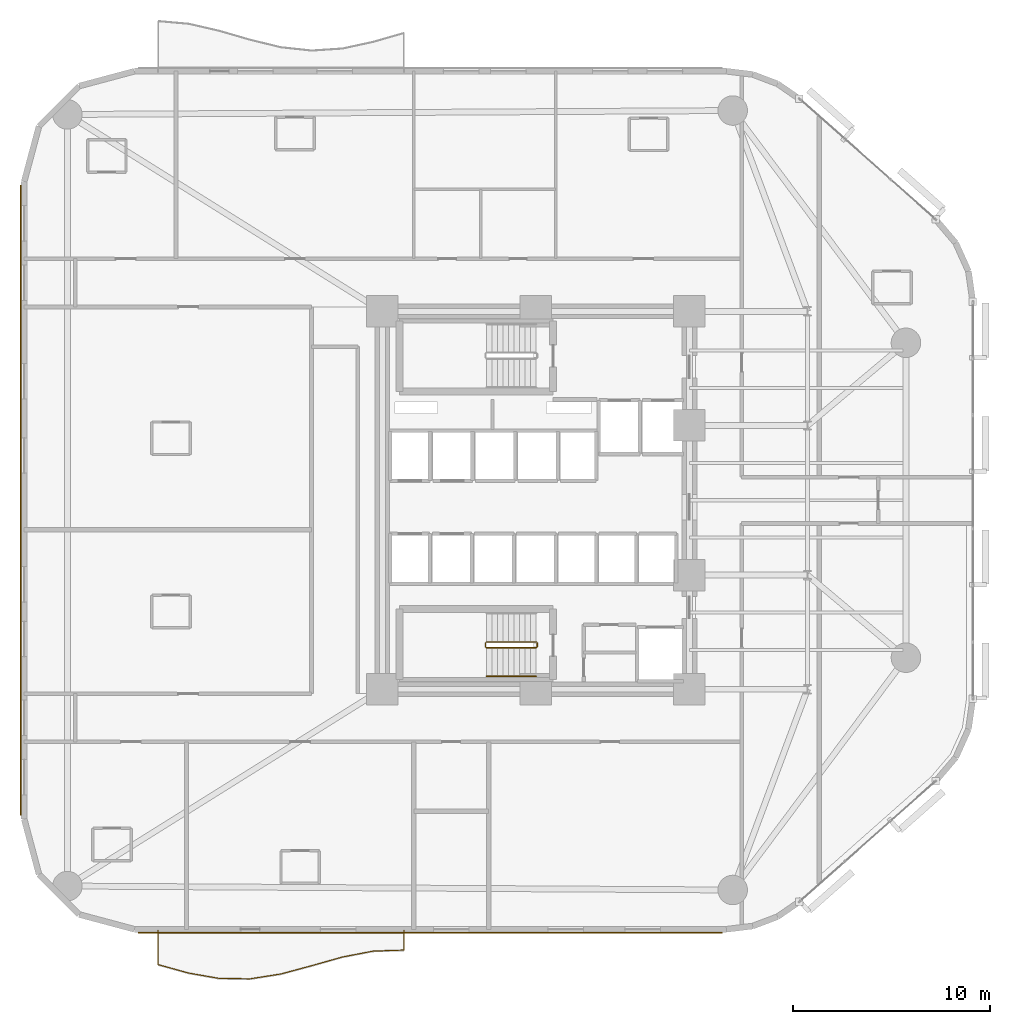
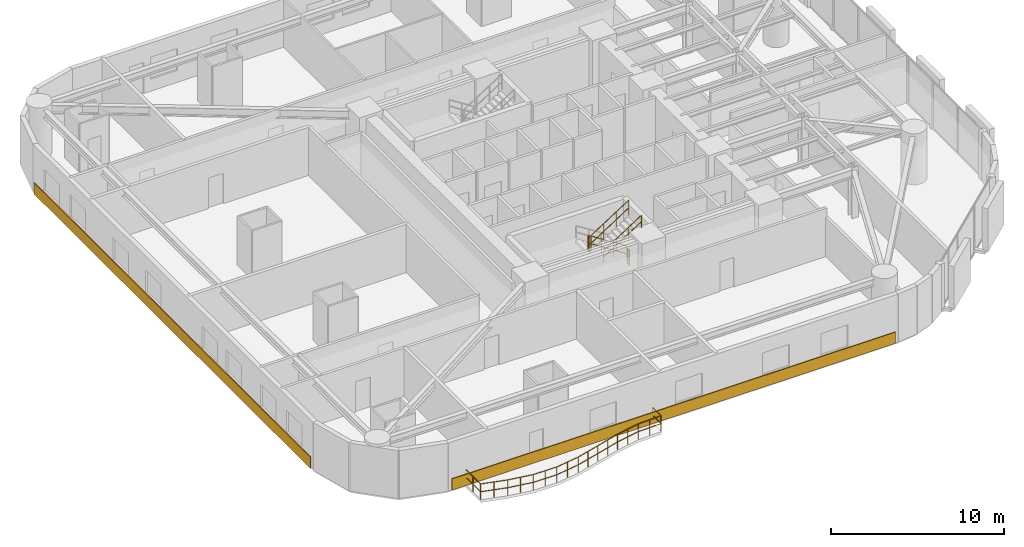
# One storey, part 15 of 17: 6 railings, 2 coverings.
"""IFC4 building model written with IfcOpenShell, lengths in metres."""

import ifcopenshell
import ifcopenshell.guid

model = None  # the IFC model being written
_history = None  # IfcOwnerHistory: only IFC2X3 demands one
_inside = {}  # id of a spatial element -> (the spatial element, [elements in it])
_under = {}  # id of a project, library or spatial element -> (it, [spatial elements below it])
_declared = {}  # id of a project -> (the project, [libraries it declares])
_typed = {}  # id of a type object -> (the type object, [elements of that type])
_made_of = {}  # id of a material, layer set ... -> (it, [elements and type objects made of it])


def new_model(schema):
    """Start an empty IFC model of exactly this schema.

    Asked for "IFC4X3", IfcOpenShell would pick the latest addendum, in which some entities
    have other attributes; the version numbers below select the first issue.
    IFC2X3 requires an IfcOwnerHistory on every rooted entity: one is made here for all.
    """
    global model, _history
    if schema == "IFC4X3":
        model = ifcopenshell.file(schema_version=(4, 3, 0, 0))
    else:
        model = ifcopenshell.file(schema=schema)
    _inside.clear()
    _under.clear()
    _declared.clear()
    _typed.clear()
    _made_of.clear()
    _history = None
    if model.schema == "IFC2X3":
        org = make("IfcOrganization", Name="unknown")
        user = make(
            "IfcPersonAndOrganization",
            ThePerson=make("IfcPerson", FamilyName="unknown"),
            TheOrganization=org,
        )
        app = make(
            "IfcApplication",
            ApplicationDeveloper=org,
            Version="unknown",
            ApplicationFullName="unknown",
            ApplicationIdentifier="unknown",
        )
        _history = make(
            "IfcOwnerHistory",
            OwningUser=user,
            OwningApplication=app,
            ChangeAction="ADDED",
            CreationDate=0,
        )
    return model


def make(cls, **values):
    """One entity of the class cls with the attributes given. An attribute that is None is left unset."""
    return model.create_entity(
        cls, **{name: value for name, value in values.items() if value is not None}
    )


def rooted(cls, **values):
    """An entity with a GlobalId (a new one), such as an element, a storey or a relation."""
    return make(cls, GlobalId=ifcopenshell.guid.new(), OwnerHistory=_history, **values)


def si_unit(unit_type, name, prefix=None):
    """IfcSIUnit, for example si_unit("LENGTHUNIT", "METRE", prefix="MILLI")."""
    return make("IfcSIUnit", UnitType=unit_type, Prefix=prefix, Name=name)


def assignment(units):
    """IfcUnitAssignment: the units of a project."""
    return None if units is None else make("IfcUnitAssignment", Units=units)


def point(xyz):
    """IfcCartesianPoint."""
    return None if xyz is None else make("IfcCartesianPoint", Coordinates=xyz)


def direction(xyz):
    """IfcDirection."""
    return None if xyz is None else make("IfcDirection", DirectionRatios=xyz)


def frame(location, z_axis=None, x_axis=None):
    """IfcAxis2Placement3D, a coordinate frame: its origin and axes. An axis left out is left unset."""
    return make(
        "IfcAxis2Placement3D",
        Location=point(location),
        Axis=direction(z_axis),
        RefDirection=direction(x_axis),
    )


def frame_2d(location, x_axis=None):
    """IfcAxis2Placement2D, a coordinate frame in the plane: its origin and x axis."""
    return make(
        "IfcAxis2Placement2D", Location=point(location), RefDirection=direction(x_axis)
    )


def origin():
    """The frame at (0, 0, 0) with its axes left unset."""
    return frame((0.0, 0.0, 0.0))


def origin_2d():
    """The frame at (0, 0) in the plane with its x axis left unset."""
    return frame_2d((0.0, 0.0))


def place(relative_to, where):
    """IfcLocalPlacement: puts the frame where relative to a parent placement (None: the world)."""
    return make(
        "IfcLocalPlacement", PlacementRelTo=relative_to, RelativePlacement=where
    )


def context(
    kind, dimensions, precision=None, world=None, true_north=None, identifier=None
):
    """IfcGeometricRepresentationContext, for example the 3D "Model" context."""
    return make(
        "IfcGeometricRepresentationContext",
        ContextIdentifier=identifier,
        ContextType=kind,
        CoordinateSpaceDimension=dimensions,
        Precision=precision,
        WorldCoordinateSystem=world,
        TrueNorth=true_north,
    )


def subcontext(parent, identifier, kind, view, scale=None):
    """IfcGeometricRepresentationSubContext, for example "Body" below "Model"."""
    return make(
        "IfcGeometricRepresentationSubContext",
        ContextIdentifier=identifier,
        ContextType=kind,
        ParentContext=parent,
        TargetScale=scale,
        TargetView=view,
    )


def project(units=None, contexts=None):
    """IfcProject with its units and contexts."""
    return rooted(
        "IfcProject",
        Name="project",
        RepresentationContexts=contexts,
        UnitsInContext=assignment(units),
    )


def spatial(cls, under=None, at=None, **own):
    """A site, building, storey or space (cls), placed at a placement, below another one or the project."""
    s = rooted(cls, ObjectPlacement=at, **own)
    if under is not None:
        _under.setdefault(under.id(), (under, []))[1].append(s)
    return s


def profile(cls, at=None, kind="AREA", **sizes):
    """A parametric profile (cls). Its sizes go by their IFC names, for example OverallWidth=200.0."""
    return make(cls, ProfileType=kind, Position=at, **sizes)


def rectangle(**sizes):
    """IfcRectangleProfileDef."""
    return profile("IfcRectangleProfileDef", **sizes)


def circle(**sizes):
    """IfcCircleProfileDef."""
    return profile("IfcCircleProfileDef", **sizes)


def extrude(swept, where, along, depth):
    """IfcExtrudedAreaSolid: the profile swept, set in the frame where, extruded along a direction by depth."""
    return make(
        "IfcExtrudedAreaSolid",
        SweptArea=swept,
        Position=where,
        ExtrudedDirection=direction(along),
        Depth=depth,
    )


def shape(context_of_items, identifier, shape_type, items):
    """IfcShapeRepresentation: the items that make up one representation, for example the "Body"."""
    return make(
        "IfcShapeRepresentation",
        ContextOfItems=context_of_items,
        RepresentationIdentifier=identifier,
        RepresentationType=shape_type,
        Items=items,
    )


def material(Name=None, Category=None):
    """IfcMaterial."""
    return make("IfcMaterial", Name=Name, Category=Category)


def layer(
    of_material, thickness, ventilated=None, Name=None, Category=None, Priority=None
):
    """IfcMaterialLayer: one layer of a wall or slab, of a material (None: an air gap)."""
    return make(
        "IfcMaterialLayer",
        Material=of_material,
        LayerThickness=thickness,
        IsVentilated=ventilated,
        Name=Name,
        Category=Category,
        Priority=Priority,
    )


def layer_set(layers, Name=None):
    """IfcMaterialLayerSet."""
    return make("IfcMaterialLayerSet", MaterialLayers=layers, LayerSetName=Name)


def made_of(thing, what):
    """Note that an element or type object is made of a material, layer set ...; save() writes the relation."""
    if what is not None:
        _made_of.setdefault(what.id(), (what, []))[1].append(thing)
    return thing


def type_object(cls, material=None, **own):
    """A type object (cls), such as IfcWallType, which elements share."""
    return made_of(rooted(cls, **own), material)


def element(
    cls,
    number,
    at=None,
    inside=None,
    cuts=None,
    type_object=None,
    material=None,
    context=None,
    identifier="Body",
    shape_type=None,
    held_by="IfcProductDefinitionShape",
    body=None,
    shapes=None,
    **own,
):
    """One element of the class cls, such as IfcWall. Its Tag is "e" and its number.

    at: its placement. inside: the storey or other place that contains it. cuts: it is an
    opening in that element (IfcRelVoidsElement). A single representation is given by context,
    identifier, shape_type and body (its items); several are given by shapes. held_by: the class
    of the entity that holds the representations. save() writes the other relations.
    """
    e = rooted(cls, Tag="e%d" % number, ObjectPlacement=at, **own)
    if body is not None:
        shapes = [shape(context, identifier, shape_type, body)]
    if shapes is not None:
        e.Representation = make(held_by, Representations=shapes)
    if inside is not None:
        _inside.setdefault(inside.id(), (inside, []))[1].append(e)
    if cuts is not None:
        rooted(
            "IfcRelVoidsElement", RelatingBuildingElement=cuts, RelatedOpeningElement=e
        )
    if type_object is not None:
        _typed.setdefault(type_object.id(), (type_object, []))[1].append(e)
    return made_of(e, material)


def aggregate(whole, parts):
    """IfcRelAggregates: a whole, such as a stair, and the parts it consists of."""
    return rooted("IfcRelAggregates", RelatingObject=whole, RelatedObjects=parts)


def save(model, path):
    """Write the relations noted so far, then the file.

    IfcRelAggregates (storeys below a building ...), IfcRelContainedInSpatialStructure (elements
    in a storey), IfcRelDefinesByType, IfcRelAssociatesMaterial and IfcRelDeclares: one each for
    every whole, place, type object, material and project.
    """
    for whole, parts in _under.values():
        aggregate(whole, parts)
    for where, things in _inside.values():
        rooted(
            "IfcRelContainedInSpatialStructure",
            RelatedElements=things,
            RelatingStructure=where,
        )
    for kind, things in _typed.values():
        rooted("IfcRelDefinesByType", RelatedObjects=things, RelatingType=kind)
    for what, things in _made_of.values():
        rooted("IfcRelAssociatesMaterial", RelatedObjects=things, RelatingMaterial=what)
    for by, libraries in _declared.values():
        rooted("IfcRelDeclares", RelatingContext=by, RelatedDefinitions=libraries)
    model.write(path)


model = new_model("IFC4")

# Units and contexts
model_context = context("Model", 3, precision=1e-05, world=origin(), true_north=direction((0.0, 1.0)))
body_context = subcontext(model_context, "Body", "Model", "MODEL_VIEW")
ifc_project = project(units=[si_unit("LENGTHUNIT", "METRE"), si_unit("AREAUNIT", "SQUARE_METRE"), si_unit("VOLUMEUNIT", "CUBIC_METRE"), si_unit("PLANEANGLEUNIT", "RADIAN"), si_unit("MASSUNIT", "GRAM", prefix="KILO")], contexts=[model_context])

# Site, building, storey
site_placement = place(None, origin())
site = spatial("IfcSite", under=ifc_project, at=site_placement, CompositionType="ELEMENT")
building_placement = place(site_placement, origin())
building = spatial("IfcBuilding", under=site, at=building_placement, Name="An Khanh Terracotta Commons", CompositionType="ELEMENT")
storey_placement = place(building_placement, frame((0.0, 0.0, 32.39990234375)))
storey = spatial("IfcBuildingStorey", under=building, at=storey_placement, Name="L08", CompositionType="ELEMENT", Elevation=32.39990234375)

# Coverings
ifc_material_1 = material(Name="Fired Terracotta Rainscreen Cladding", Category="masonry")
ifc_layer = layer(ifc_material_1, 0.06005859375, Name="Fired Terracotta Rainscreen Cladding")
ifc_layer_set = layer_set([ifc_layer], Name="Fired Terracotta Rainscreen Cladding")
covering_type = type_object("IfcCoveringType", Name="COV-SPANDREL-TERRA", PredefinedType="CLADDING", material=ifc_layer_set)
covering_1_placement = place(storey_placement, frame((24.0400390625, 2.02001953125, 0.02001953125), z_axis=(0.0, 0.0, 1.0), x_axis=(1.0, 0.0, 0.0)))
element("IfcCovering", 1, at=covering_1_placement, inside=storey, type_object=covering_type, Name="L08 Terracotta Spandrel Cladding 4", PredefinedType="CLADDING", context=body_context, shape_type="SweptSolid", body=[
    extrude(rectangle(XDim=29.678955078125, YDim=0.06005859375, at=origin_2d()), origin(), (0.0, 0.0, 1.0), 0.800048828125),
])
covering_2_placement = place(storey_placement, frame((3.219970703125, 24.0, 0.02001953125), z_axis=(0.0, 0.0, 1.0), x_axis=(0.0, -1.0, 0.0)))
element("IfcCovering", 2, at=covering_2_placement, inside=storey, type_object=covering_type, Name="L08 Terracotta Spandrel Cladding 24", PredefinedType="CLADDING", context=body_context, shape_type="SweptSolid", body=[
    extrude(rectangle(XDim=32.0, YDim=0.06005859375, at=origin_2d()), origin(), (0.0, 0.0, 1.0), 0.800048828125),
])

# Railings
ifc_material_2 = material(Name="Brushed Stainless Steel 316", Category="steel")
railing_type_1 = type_object("IfcRailingType", Name="RAIL-BALUSTRADE-1100", PredefinedType="BALUSTRADE", material=ifc_material_2)
railing_1_placement = place(storey_placement, frame((10.199951171875, 2.139892578125, 0.0)))
element("IfcRailing", 3, at=railing_1_placement, inside=storey, type_object=railing_type_1, Name="L08 S Wave Balcony Guard Balustrade", PredefinedType="BALUSTRADE", context=body_context, shape_type="SweptSolid", body=[
    extrude(circle(Radius=0.02392578125, at=origin_2d()), frame((0.0, 0.0, 1.076171875), z_axis=(0.0, -1.0, 0.0), x_axis=(1.0, 0.0, 0.0)), (0.0, 0.0, 1.0), 1.72998046875),
    extrude(circle(Radius=0.02392578125, at=origin_2d()), frame((0.0, 0.0, 0.52587890625), z_axis=(0.0, -1.0, 0.0), x_axis=(1.0, 0.0, 0.0)), (0.0, 0.0, 1.0), 1.72998046875),
    extrude(circle(Radius=0.02392578125, at=origin_2d()), frame((0.0, -1.72998046875, 1.076171875), z_axis=(0.963836645927, -0.266493752211, 0.0), x_axis=(0.266493752211, 0.963836645927, 0.0)), (0.0, 0.0, 1.0), 1.62060546875),
    extrude(circle(Radius=0.02392578125, at=origin_2d()), frame((0.0, -1.72998046875, 0.52587890625), z_axis=(0.963836645927, -0.266493752211, 0.0), x_axis=(0.266493752211, 0.963836645927, 0.0)), (0.0, 0.0, 1.0), 1.62060546875),
    extrude(circle(Radius=0.02392578125, at=origin_2d()), frame((1.56201171875, -2.161865234375, 1.076171875), z_axis=(0.9849873305, -0.172626645552, 0.0), x_axis=(0.172626645552, 0.9849873305, 0.0)), (0.0, 0.0, 1.0), 1.5869140625),
    extrude(circle(Radius=0.02392578125, at=origin_2d()), frame((1.56201171875, -2.161865234375, 0.52587890625), z_axis=(0.9849873305, -0.172626645552, 0.0), x_axis=(0.172626645552, 0.9849873305, 0.0)), (0.0, 0.0, 1.0), 1.5869140625),
    extrude(circle(Radius=0.02392578125, at=origin_2d()), frame((3.125, -2.435791015625, 1.076171875), z_axis=(0.999940153518, -0.010940264262, 0.0), x_axis=(0.010940264262, 0.999940153518, 0.0)), (0.0, 0.0, 1.0), 1.56201171875),
    extrude(circle(Radius=0.02392578125, at=origin_2d()), frame((3.125, -2.435791015625, 0.52587890625), z_axis=(0.999940153518, -0.010940264262, 0.0), x_axis=(0.010940264262, 0.999940153518, 0.0)), (0.0, 0.0, 1.0), 1.56201171875),
    extrude(circle(Radius=0.02392578125, at=origin_2d()), frame((4.68701171875, -2.452880859375, 1.076171875), z_axis=(0.987735428763, 0.156136871901, 0.0), x_axis=(-0.156136871901, 0.987735428763, 0.0)), (0.0, 0.0, 1.0), 1.582275390625),
    extrude(circle(Radius=0.02392578125, at=origin_2d()), frame((4.68701171875, -2.452880859375, 0.52587890625), z_axis=(0.987735428763, 0.156136871901, 0.0), x_axis=(-0.156136871901, 0.987735428763, 0.0)), (0.0, 0.0, 1.0), 1.582275390625),
    extrude(circle(Radius=0.02392578125, at=origin_2d()), frame((6.25, -2.205810546875, 1.076171875), z_axis=(0.965560366071, 0.260179129588, 0.0), x_axis=(-0.260179129588, 0.965560366071, 0.0)), (0.0, 0.0, 1.0), 1.61767578125),
    extrude(circle(Radius=0.02392578125, at=origin_2d()), frame((6.25, -2.205810546875, 0.52587890625), z_axis=(0.965560366071, 0.260179129588, 0.0), x_axis=(-0.260179129588, 0.965560366071, 0.0)), (0.0, 0.0, 1.0), 1.61767578125),
    extrude(circle(Radius=0.02392578125, at=origin_2d()), frame((7.81201171875, -1.784912109375, 1.076171875), z_axis=(0.962437589726, 0.271503012659, 0.0), x_axis=(-0.271503012659, 0.962437589726, 0.0)), (0.0, 0.0, 1.0), 1.6240234375),
    extrude(circle(Radius=0.02392578125, at=origin_2d()), frame((7.81201171875, -1.784912109375, 0.52587890625), z_axis=(0.962437589726, 0.271503012659, 0.0), x_axis=(-0.271503012659, 0.962437589726, 0.0)), (0.0, 0.0, 1.0), 1.6240234375),
    extrude(circle(Radius=0.02392578125, at=origin_2d()), frame((9.375, -1.343994140625, 1.076171875), z_axis=(0.982045838822, 0.188642440749, 0.0), x_axis=(-0.188642440749, 0.982045838822, 0.0)), (0.0, 0.0, 1.0), 1.590576171875),
    extrude(circle(Radius=0.02392578125, at=origin_2d()), frame((9.375, -1.343994140625, 0.52587890625), z_axis=(0.982045838822, 0.188642440749, 0.0), x_axis=(-0.188642440749, 0.982045838822, 0.0)), (0.0, 0.0, 1.0), 1.590576171875),
    extrude(circle(Radius=0.02392578125, at=origin_2d()), frame((10.93701171875, -1.0439453125, 1.076171875), z_axis=(0.999487713911, 0.032004839324, 0.0), x_axis=(-0.032004839324, 0.999487713911, 0.0)), (0.0, 0.0, 1.0), 1.563720703125),
    extrude(circle(Radius=0.02392578125, at=origin_2d()), frame((10.93701171875, -1.0439453125, 0.52587890625), z_axis=(0.999487713911, 0.032004839324, 0.0), x_axis=(-0.032004839324, 0.999487713911, 0.0)), (0.0, 0.0, 1.0), 1.563720703125),
    extrude(circle(Radius=0.02392578125, at=origin_2d()), frame((12.5, -0.993896484375, 1.076171875), z_axis=(0.0, 1.0, 0.0), x_axis=(-1.0, 0.0, 0.0)), (0.0, 0.0, 1.0), 0.993896484375),
    extrude(circle(Radius=0.02392578125, at=origin_2d()), frame((12.5, -0.993896484375, 0.52587890625), z_axis=(0.0, 1.0, 0.0), x_axis=(-1.0, 0.0, 0.0)), (0.0, 0.0, 1.0), 0.993896484375),
    extrude(circle(Radius=0.02099609375, at=origin_2d()), origin(), (0.0, 0.0, 1.0), 1.052001953125),
    extrude(circle(Radius=0.02099609375, at=origin_2d()), frame((0.0, -0.864990234375, 0.0)), (0.0, 0.0, 1.0), 1.052001953125),
    extrude(circle(Radius=0.02099609375, at=origin_2d()), frame((0.0, -1.72998046875, 0.0)), (0.0, 0.0, 1.0), 1.052001953125),
    extrude(circle(Radius=0.02099609375, at=origin_2d()), frame((0.781005859375, -1.94580078125, 0.0)), (0.0, 0.0, 1.0), 1.052001953125),
    extrude(circle(Radius=0.02099609375, at=origin_2d()), frame((1.56201171875, -2.161865234375, 0.0)), (0.0, 0.0, 1.0), 1.052001953125),
    extrude(circle(Radius=0.02099609375, at=origin_2d()), frame((2.343505859375, -2.298828125, 0.0)), (0.0, 0.0, 1.0), 1.052001953125),
    extrude(circle(Radius=0.02099609375, at=origin_2d()), frame((3.125, -2.435791015625, 0.0)), (0.0, 0.0, 1.0), 1.052001953125),
    extrude(circle(Radius=0.02099609375, at=origin_2d()), frame((3.906005859375, -2.4443359375, 0.0)), (0.0, 0.0, 1.0), 1.052001953125),
    extrude(circle(Radius=0.02099609375, at=origin_2d()), frame((4.68701171875, -2.452880859375, 0.0)), (0.0, 0.0, 1.0), 1.052001953125),
    extrude(circle(Radius=0.02099609375, at=origin_2d()), frame((5.468505859375, -2.329345703125, 0.0)), (0.0, 0.0, 1.0), 1.052001953125),
    extrude(circle(Radius=0.02099609375, at=origin_2d()), frame((6.25, -2.205810546875, 0.0)), (0.0, 0.0, 1.0), 1.052001953125),
    extrude(circle(Radius=0.02099609375, at=origin_2d()), frame((7.031005859375, -1.995361328125, 0.0)), (0.0, 0.0, 1.0), 1.052001953125),
    extrude(circle(Radius=0.02099609375, at=origin_2d()), frame((7.81201171875, -1.784912109375, 0.0)), (0.0, 0.0, 1.0), 1.052001953125),
    extrude(circle(Radius=0.02099609375, at=origin_2d()), frame((8.593505859375, -1.564453125, 0.0)), (0.0, 0.0, 1.0), 1.052001953125),
    extrude(circle(Radius=0.02099609375, at=origin_2d()), frame((9.375, -1.343994140625, 0.0)), (0.0, 0.0, 1.0), 1.052001953125),
    extrude(circle(Radius=0.02099609375, at=origin_2d()), frame((10.156005859375, -1.19384765625, 0.0)), (0.0, 0.0, 1.0), 1.052001953125),
    extrude(circle(Radius=0.02099609375, at=origin_2d()), frame((10.93701171875, -1.0439453125, 0.0)), (0.0, 0.0, 1.0), 1.052001953125),
    extrude(circle(Radius=0.02099609375, at=origin_2d()), frame((11.718505859375, -1.01904296875, 0.0)), (0.0, 0.0, 1.0), 1.052001953125),
    extrude(circle(Radius=0.02099609375, at=origin_2d()), frame((12.5, -0.993896484375, 0.0)), (0.0, 0.0, 1.0), 1.052001953125),
    extrude(circle(Radius=0.02099609375, at=origin_2d()), frame((12.5, 0.0, 0.0)), (0.0, 0.0, 1.0), 1.052001953125),
])
railing_type_2 = type_object("IfcRailingType", Name="RAIL-HANDRAIL-900", PredefinedType="HANDRAIL", material=ifc_material_2)
railing_2_placement = place(storey_placement, frame((26.889892578125, 15.050048828125, 1.97998046875)))
element("IfcRailing", 4, at=railing_2_placement, inside=storey, type_object=railing_type_2, Name="L08 ST-02 stair handrail 2", PredefinedType="HANDRAIL", context=body_context, shape_type="SweptSolid", body=[
    extrude(circle(Radius=0.02392578125, at=origin_2d()), frame((0.0, 0.0, 0.8759765625), z_axis=(0.841162588446, 0.0, 0.540782303519), x_axis=(0.0, 1.0, 0.0)), (0.0, 0.0, 1.0), 2.995849609375),
    extrude(circle(Radius=0.02392578125, at=origin_2d()), frame((0.0, 0.0, 0.42578125), z_axis=(0.841162588446, 0.0, 0.540782303519), x_axis=(0.0, 1.0, 0.0)), (0.0, 0.0, 1.0), 2.995849609375),
    extrude(circle(Radius=0.02099609375, at=origin_2d()), origin(), (0.0, 0.0, 1.0), 0.851806640625),
    extrude(circle(Radius=0.02099609375, at=origin_2d()), frame((0.840087890625, 0.0, 0.5400390625)), (0.0, 0.0, 1.0), 0.851806640625),
    extrude(circle(Radius=0.02099609375, at=origin_2d()), frame((1.679931640625, 0.0, 1.080078125)), (0.0, 0.0, 1.0), 0.851806640625),
    extrude(circle(Radius=0.02099609375, at=origin_2d()), frame((2.52001953125, 0.0, 1.6201171875)), (0.0, 0.0, 1.0), 0.851806640625),
])
ifc_material_3 = material(Name="Powder-Coated Steel S355J2", Category="steel")
railing_type_3 = type_object("IfcRailingType", Name="RAIL-STAIR-GUARD-1100", PredefinedType="BALUSTRADE", material=ifc_material_3)
railing_3_placement = place(storey_placement, frame((29.409912109375, 16.800048828125, 0.18017578125)))
element("IfcRailing", 5, at=railing_3_placement, inside=storey, type_object=railing_type_3, Name="L08 ST-02 stair guard 1", PredefinedType="BALUSTRADE", context=body_context, shape_type="SweptSolid", body=[
    extrude(circle(Radius=0.02392578125, at=origin_2d()), frame((0.0, 0.0, 1.076171875), z_axis=(-0.841199657755, 0.0, 0.540724639528), x_axis=(0.0, -1.0, 0.0)), (0.0, 0.0, 1.0), 2.995849609375),
    extrude(circle(Radius=0.02392578125, at=origin_2d()), frame((0.0, 0.0, 0.52587890625), z_axis=(-0.841199657755, 0.0, 0.540724639528), x_axis=(0.0, -1.0, 0.0)), (0.0, 0.0, 1.0), 2.995849609375),
    extrude(circle(Radius=0.02099609375, at=origin_2d()), origin(), (0.0, 0.0, 1.0), 1.052001953125),
    extrude(circle(Radius=0.02099609375, at=origin_2d()), frame((-0.840087890625, 0.0, 0.5400390625)), (0.0, 0.0, 1.0), 1.052001953125),
    extrude(circle(Radius=0.02099609375, at=origin_2d()), frame((-1.679931640625, 0.0, 1.079833984375)), (0.0, 0.0, 1.0), 1.052001953125),
    extrude(circle(Radius=0.02099609375, at=origin_2d()), frame((-2.52001953125, 0.0, 1.619873046875)), (0.0, 0.0, 1.0), 1.052001953125),
])
railing_4_placement = place(storey_placement, frame((26.840087890625, 16.75, 1.800048828125)))
element("IfcRailing", 6, at=railing_4_placement, inside=storey, type_object=railing_type_3, Name="L08 ST-02 stair guard 2", PredefinedType="BALUSTRADE", context=body_context, shape_type="SweptSolid", body=[
    extrude(circle(Radius=0.02392578125, at=origin_2d()), frame((0.0, 0.0, 1.076171875), z_axis=(0.0, -1.0, 0.0), x_axis=(1.0, 0.0, 0.0)), (0.0, 0.0, 1.0), 0.199951171875),
    extrude(circle(Radius=0.02392578125, at=origin_2d()), frame((0.0, 0.0, 0.52587890625), z_axis=(0.0, -1.0, 0.0), x_axis=(1.0, 0.0, 0.0)), (0.0, 0.0, 1.0), 0.199951171875),
    extrude(circle(Radius=0.02099609375, at=origin_2d()), origin(), (0.0, 0.0, 1.0), 1.052001953125),
    extrude(circle(Radius=0.02099609375, at=origin_2d()), frame((0.0, -0.199951171875, 0.0)), (0.0, 0.0, 1.0), 1.052001953125),
])
railing_5_placement = place(storey_placement, frame((26.889892578125, 16.5, 1.97998046875)))
element("IfcRailing", 7, at=railing_5_placement, inside=storey, type_object=railing_type_3, Name="L08 ST-02 stair guard 3", PredefinedType="BALUSTRADE", context=body_context, shape_type="SweptSolid", body=[
    extrude(circle(Radius=0.02392578125, at=origin_2d()), frame((0.0, 0.0, 1.076171875), z_axis=(0.841162588446, 0.0, 0.540782303519), x_axis=(0.0, 1.0, 0.0)), (0.0, 0.0, 1.0), 2.995849609375),
    extrude(circle(Radius=0.02392578125, at=origin_2d()), frame((0.0, 0.0, 0.52587890625), z_axis=(0.841162588446, 0.0, 0.540782303519), x_axis=(0.0, 1.0, 0.0)), (0.0, 0.0, 1.0), 2.995849609375),
    extrude(circle(Radius=0.02099609375, at=origin_2d()), origin(), (0.0, 0.0, 1.0), 1.052001953125),
    extrude(circle(Radius=0.02099609375, at=origin_2d()), frame((0.840087890625, 0.0, 0.5400390625)), (0.0, 0.0, 1.0), 1.052001953125),
    extrude(circle(Radius=0.02099609375, at=origin_2d()), frame((1.679931640625, 0.0, 1.080078125)), (0.0, 0.0, 1.0), 1.052001953125),
    extrude(circle(Radius=0.02099609375, at=origin_2d()), frame((2.52001953125, 0.0, 1.6201171875)), (0.0, 0.0, 1.0), 1.052001953125),
])
railing_6_placement = place(storey_placement, frame((29.4599609375, 16.75, 0.0)))
element("IfcRailing", 8, at=railing_6_placement, inside=storey, type_object=railing_type_3, Name="L08 ST-02 stair guard 4", PredefinedType="BALUSTRADE", context=body_context, shape_type="SweptSolid", body=[
    extrude(circle(Radius=0.02392578125, at=origin_2d()), frame((0.0, 0.0, 1.076171875), z_axis=(0.0, -1.0, 0.0), x_axis=(1.0, 0.0, 0.0)), (0.0, 0.0, 1.0), 0.199951171875),
    extrude(circle(Radius=0.02392578125, at=origin_2d()), frame((0.0, 0.0, 0.52587890625), z_axis=(0.0, -1.0, 0.0), x_axis=(1.0, 0.0, 0.0)), (0.0, 0.0, 1.0), 0.199951171875),
    extrude(circle(Radius=0.02099609375, at=origin_2d()), origin(), (0.0, 0.0, 1.0), 1.052001953125),
    extrude(circle(Radius=0.02099609375, at=origin_2d()), frame((0.0, -0.199951171875, 0.0)), (0.0, 0.0, 1.0), 1.052001953125),
])

save(model, "model.ifc")
